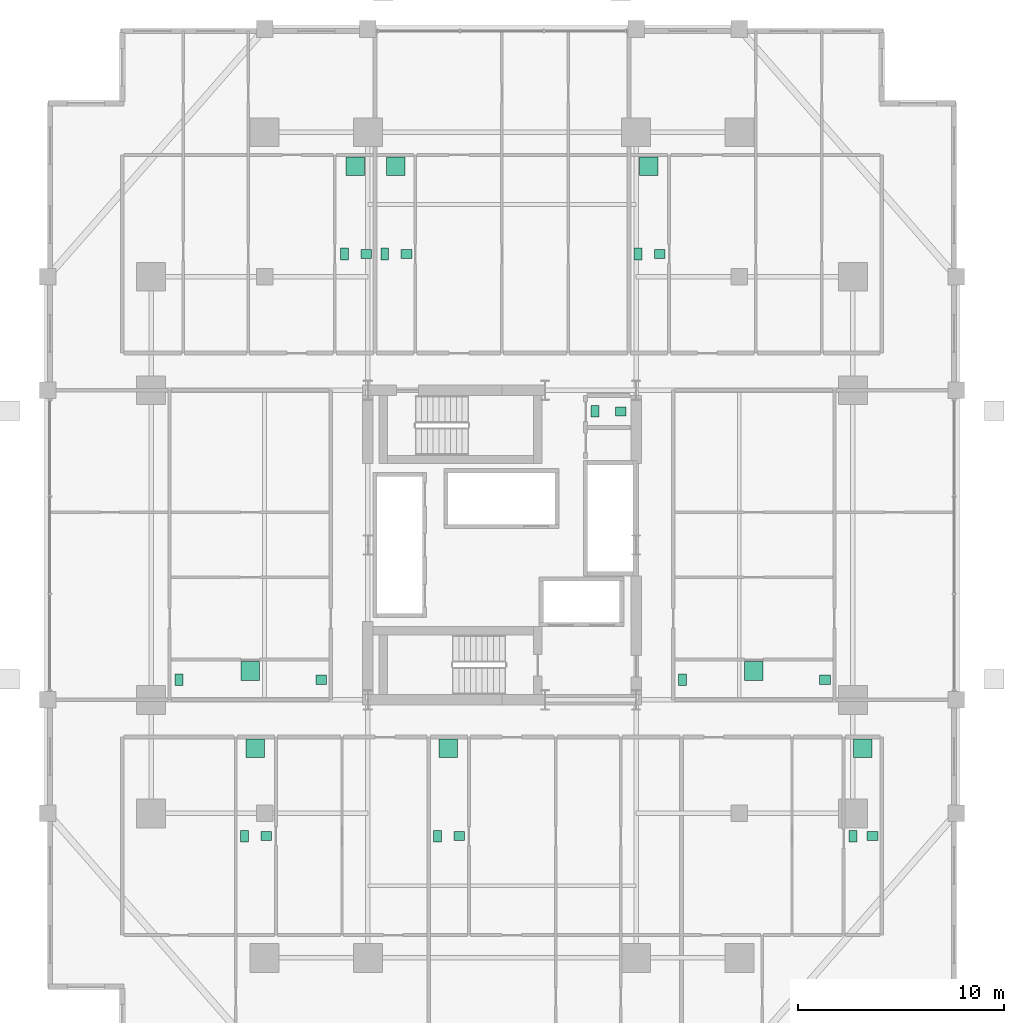
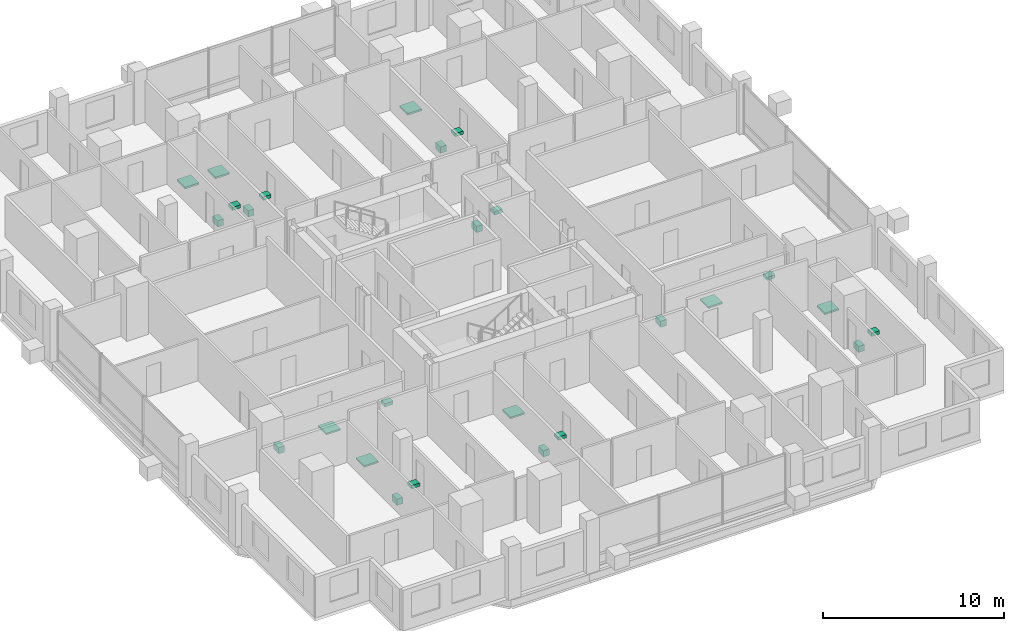
# One storey, part 24 of 24: 26 sanitary terminals.
"""IFC4 building model written with IfcOpenShell, lengths in metres."""

from ifc_helpers import new_model, si_unit, direction, frame, origin, origin_2d, place, context, subcontext, project, spatial, rectangle, extrude, material, type_object, element, save


model = new_model("IFC4")

# Units and contexts
model_context = context("Model", 3, precision=1e-05, world=origin(), true_north=direction((0.0, 1.0)))
body_context = subcontext(model_context, "Body", "Model", "MODEL_VIEW")
ifc_project = project(units=[si_unit("LENGTHUNIT", "METRE"), si_unit("AREAUNIT", "SQUARE_METRE"), si_unit("VOLUMEUNIT", "CUBIC_METRE"), si_unit("PLANEANGLEUNIT", "RADIAN"), si_unit("MASSUNIT", "GRAM", prefix="KILO")], contexts=[model_context])

# Site, building, storey
site_placement = place(None, origin())
site = spatial("IfcSite", under=ifc_project, at=site_placement, CompositionType="ELEMENT")
building_placement = place(site_placement, origin())
building = spatial("IfcBuilding", under=site, at=building_placement, Name="Barlavira Tower and Art Museum", CompositionType="ELEMENT")
storey_placement = place(building_placement, frame((0.0, 0.0, 43.199951171875)))
storey = spatial("IfcBuildingStorey", under=building, at=storey_placement, Name="L09", CompositionType="ELEMENT", Elevation=43.199951171875)

# Sanitary terminals
ifc_material = material(Name="Vitreous glazed ceramic", Category="ceramic")
sanitary_terminal_type_1 = type_object("IfcSanitaryTerminalType", Name="Countertop Ceramic Wash Hand Basin", PredefinedType="WASHHANDBASIN", material=ifc_material)
for number, where, z_axis, x_axis, name in (
    (1, (5.75, 6.47509765625, 0.740234375), (0.0, 0.0, 1.0), (1.0, 0.0, 0.0), "L09-C-WC1 Wash Basin"),
    (2, (-11.419921875, -14.10009765625, 0.740234375), (0.0, 0.0, 1.0), (1.0, 0.0, 0.0), "L09-S1-BTH1 Wash Basin"),
    (3, (-2.070068359375, -14.10009765625, 0.740234375), (0.0, 0.0, 1.0), (1.0, 0.0, 0.0), "L09-S2-BTH1 Wash Basin"),
    (4, (17.949951171875, -14.10009765625, 0.740234375), (0.0, 0.0, 1.0), (1.0, 0.0, 0.0), "L09-S3-BTH1 Wash Basin"),
    (5, (-6.580078125, 14.10009765625, 0.740234375), (0.0, 0.0, 1.0), (1.0, 0.0, 0.0), "L09-N1-BTH1 Wash Basin"),
    (6, (-4.6298828125, 14.10009765625, 0.740234375), (0.0, 0.0, 1.0), (1.0, 0.0, 0.0), "L09-N2-BTH1 Wash Basin"),
    (7, (7.639892578125, 14.10009765625, 0.740234375), (0.0, 0.0, 1.0), (1.0, 0.0, 0.0), "L09-N3-BTH1 Wash Basin"),
    (8, (-8.75, -6.52490234375, 0.740234375), (0.0, 0.0, 1.0), (1.0, 0.0, 0.0), "L09-W1-BTH1 Wash Basin"),
    (9, (15.64990234375, -6.52490234375, 0.740234375), (0.0, 0.0, 1.0), (1.0, 0.0, 0.0), "L09-E1-BTH1 Wash Basin"),
):
    element("IfcSanitaryTerminal", number, at=place(storey_placement, frame(where, z_axis=z_axis, x_axis=x_axis)), inside=storey, type_object=sanitary_terminal_type_1, Name=name, PredefinedType="WASHHANDBASIN", context=body_context, shape_type="SweptSolid", body=[
        extrude(rectangle(XDim=0.52001953125, YDim=0.43994140625, at=origin_2d()), origin(), (0.0, 0.0, 1.0), 0.219970703125),
    ])
sanitary_terminal_type_2 = type_object("IfcSanitaryTerminalType", Name="Walk-In Thermostatic Rain Shower Unit", PredefinedType="SHOWER", material=ifc_material)
for number, where, z_axis, x_axis, name in (
    (10, (-11.945068359375, -9.85009765625, 0.0), (0.0, 0.0, 1.0), (1.0, 0.0, 0.0), "L09-S1-BTH1 Rain Shower"),
    (11, (-2.594970703125, -9.85009765625, 0.0), (0.0, 0.0, 1.0), (1.0, 0.0, 0.0), "L09-S2-BTH1 Rain Shower"),
    (12, (17.47998046875, -9.85009765625, 0.0), (0.0, 0.0, 1.0), (1.0, 0.0, 0.0), "L09-S3-BTH1 Rain Shower"),
    (13, (-7.10498046875, 18.35009765625, 0.0), (0.0, 0.0, 1.0), (1.0, 0.0, 0.0), "L09-N1-BTH1 Rain Shower"),
    (14, (-5.155029296875, 18.35009765625, 0.0), (0.0, 0.0, 1.0), (1.0, 0.0, 0.0), "L09-N2-BTH1 Rain Shower"),
    (15, (7.114990234375, 18.35009765625, 0.0), (0.0, 0.0, 1.0), (1.0, 0.0, 0.0), "L09-N3-BTH1 Rain Shower"),
    (16, (-12.199951171875, -6.10009765625, 0.0), (0.0, 0.0, 1.0), (1.0, 0.0, 0.0), "L09-W1-BTH1 Rain Shower"),
    (17, (12.199951171875, -6.10009765625, 0.0), (0.0, 0.0, 1.0), (1.0, 0.0, 0.0), "L09-E1-BTH1 Rain Shower"),
):
    element("IfcSanitaryTerminal", number, at=place(storey_placement, frame(where, z_axis=z_axis, x_axis=x_axis)), inside=storey, type_object=sanitary_terminal_type_2, Name=name, PredefinedType="SHOWER", context=body_context, shape_type="SweptSolid", body=[
        extrude(rectangle(XDim=0.89990234375, YDim=0.89990234375, at=origin_2d()), origin(), (0.0, 0.0, 1.0), 0.1201171875),
    ])
sanitary_terminal_type_3 = type_object("IfcSanitaryTerminalType", Name="Wall-Hung Dual-Flush Vitreous WC Pan", PredefinedType="TOILETPAN", material=ifc_material)
for number, where, z_axis, x_axis, name in (
    (18, (4.5, 6.47509765625, 0.0), (0.0, 0.0, 1.0), (1.0, 0.0, 0.0), "L09-C-WC1 WC Pan"),
    (19, (-12.469970703125, -14.10009765625, 0.0), (0.0, 0.0, 1.0), (1.0, 0.0, 0.0), "L09-S1-BTH1 WC Pan"),
    (20, (-3.1201171875, -14.10009765625, 0.0), (0.0, 0.0, 1.0), (1.0, 0.0, 0.0), "L09-S2-BTH1 WC Pan"),
    (21, (17.010009765625, -14.10009765625, 0.0), (0.0, 0.0, 1.0), (1.0, 0.0, 0.0), "L09-S3-BTH1 WC Pan"),
    (22, (-7.6298828125, 14.10009765625, 0.0), (0.0, 0.0, 1.0), (1.0, 0.0, 0.0), "L09-N1-BTH1 WC Pan"),
    (23, (-5.679931640625, 14.10009765625, 0.0), (0.0, 0.0, 1.0), (1.0, 0.0, 0.0), "L09-N2-BTH1 WC Pan"),
    (24, (6.590087890625, 14.10009765625, 0.0), (0.0, 0.0, 1.0), (1.0, 0.0, 0.0), "L09-N3-BTH1 WC Pan"),
    (25, (-15.64990234375, -6.52490234375, 0.0), (0.0, 0.0, 1.0), (1.0, 0.0, 0.0), "L09-W1-BTH1 WC Pan"),
    (26, (8.75, -6.52490234375, 0.0), (0.0, 0.0, 1.0), (1.0, 0.0, 0.0), "L09-E1-BTH1 WC Pan"),
):
    element("IfcSanitaryTerminal", number, at=place(storey_placement, frame(where, z_axis=z_axis, x_axis=x_axis)), inside=storey, type_object=sanitary_terminal_type_3, Name=name, PredefinedType="TOILETPAN", context=body_context, shape_type="SweptSolid", body=[
        extrude(rectangle(XDim=0.3798828125, YDim=0.56005859375, at=origin_2d()), origin(), (0.0, 0.0, 1.0), 0.419921875),
    ])

save(model, "model.ifc")
